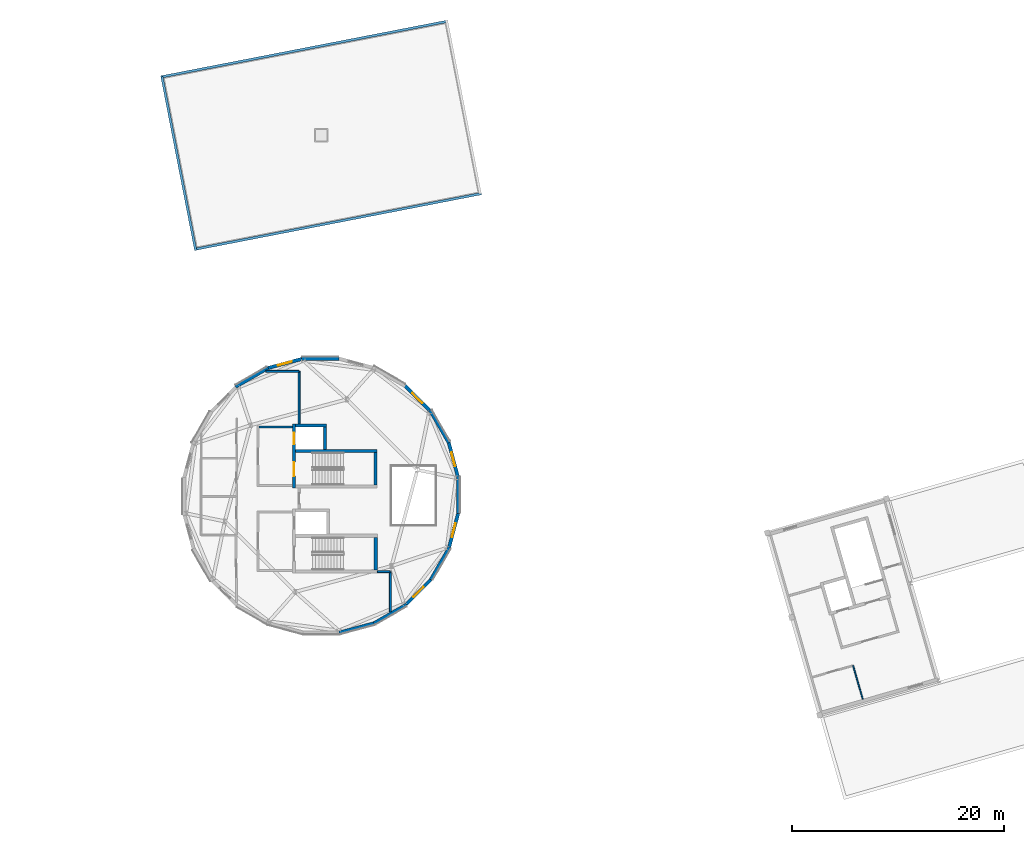
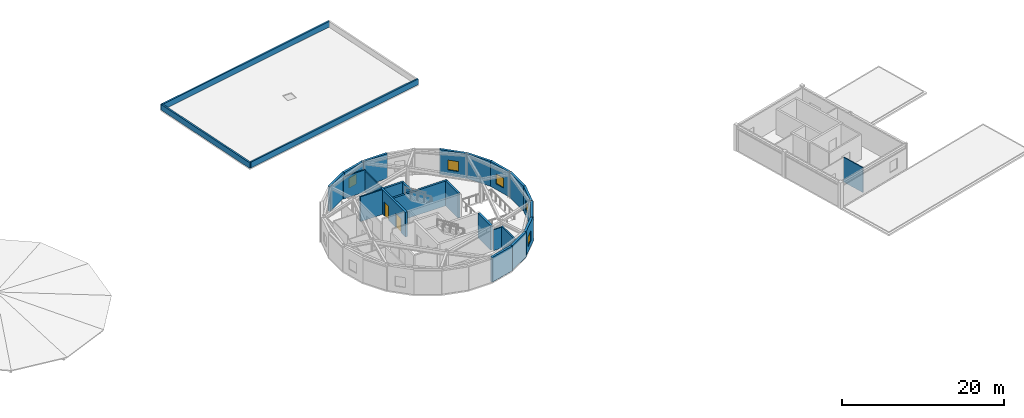
# One storey, part 7 of 11: 27 walls, 5 windows, 2 doors, 7 openings.
"""IFC4 building model written with IfcOpenShell, lengths in metres."""

from ifc_helpers import new_model, si_unit, direction, frame, frame_2d, origin, place, context, subcontext, project, spatial, rectangle, extrude, material, layer, layer_set, type_object, element, fill, save


model = new_model("IFC4")

# Units and contexts
model_context = context("Model", 3, precision=1e-05, world=origin(), true_north=direction((0.0, 1.0)))
body_context = subcontext(model_context, "Body", "Model", "MODEL_VIEW")
ifc_project = project(units=[si_unit("LENGTHUNIT", "METRE"), si_unit("AREAUNIT", "SQUARE_METRE"), si_unit("VOLUMEUNIT", "CUBIC_METRE"), si_unit("PLANEANGLEUNIT", "RADIAN"), si_unit("MASSUNIT", "GRAM", prefix="KILO")], contexts=[model_context])

# Site, building, storey
site_placement = place(None, origin())
site = spatial("IfcSite", under=ifc_project, at=site_placement, CompositionType="ELEMENT")
building_placement = place(site_placement, origin())
building = spatial("IfcBuilding", under=site, at=building_placement, Name="Varnklinge Art Gallery", CompositionType="ELEMENT")
storey_placement = place(building_placement, frame((0.0, 0.0, 17.639892578125)))
storey = spatial("IfcBuildingStorey", under=building, at=storey_placement, Name="L04", CompositionType="ELEMENT", Elevation=17.639892578125)

# Wall
ifc_material_1 = material(Name="Precast concrete C40/50", Category="concrete")
ifc_layer_1 = layer(ifc_material_1, 0.320068359375)
ifc_layer_set_1 = layer_set([ifc_layer_1], Name="Precast concrete C40/50")
wall_type_1 = type_object("IfcWallType", Name="EW-32", PredefinedType="SOLIDWALL", material=ifc_layer_set_1)
wall_1_placement = place(storey_placement, frame((88.427001953125, 40.36181640625, 0.0), z_axis=(0.0, 0.0, 1.0), x_axis=(0.0, -1.0, 0.0)))
element("IfcWall", 1, at=wall_1_placement, inside=storey, type_object=wall_type_1, Name="L04 Exterior Wall EW-V4D-L04-01", PredefinedType="SOLIDWALL", context=body_context, shape_type="SweptSolid", body=[
    extrude(rectangle(XDim=3.563720703125, YDim=0.320068359375, at=frame_2d((1.78173828125, 0.0))), origin(), (0.0, 0.0, 1.0), 3.739990234375),
])

# Wall, opening, window
wall_2_placement = place(storey_placement, frame((88.468505859375, 36.95263671875, 0.0), z_axis=(0.0, 0.0, 1.0), x_axis=(-0.258830827966, -0.965922669003, 0.0)))
wall_2 = element("IfcWall", 2, at=wall_2_placement, inside=storey, type_object=wall_type_1, Name="L04 Exterior Wall EW-V4D-L04-02", PredefinedType="SOLIDWALL", context=body_context, shape_type="SweptSolid", body=[
    extrude(rectangle(XDim=3.5634765625, YDim=0.320068359375, at=frame_2d((1.78173828125, 0.0))), origin(), (0.0, 0.0, 1.0), 3.739990234375),
])
opening_1_placement = place(wall_2_placement, frame((1.10693359375, 0.0, 0.85009765625)))
opening_1 = element("IfcOpeningElement", 3, at=opening_1_placement, cuts=wall_2, Name="Opening WN-02", PredefinedType="OPENING", context=body_context, shape_type="SweptSolid", body=[
    extrude(rectangle(XDim=1.35009765625, YDim=1.5, at=frame_2d((0.675048828125, 0.75))), frame((0.0, 0.170166015625, 0.0), z_axis=(0.0, -1.0, 0.0), x_axis=(1.0, 0.0, 0.0)), (0.0, 0.0, 1.0), 0.340087890625),
])
ifc_material_2 = material(Name="Insulated Low-E Triple Glazing", Category="glass")
window_type = type_object("IfcWindowType", Name="WN-02", PartitioningType="SINGLE_PANEL", PredefinedType="WINDOW", material=ifc_material_2)
window_1_placement = place(opening_1_placement, origin())
window_1 = element("IfcWindow", 4, at=window_1_placement, inside=storey, type_object=window_type, Name="L04 Window WIN-L04-106", OverallHeight=1.5, OverallWidth=1.35009765625, PartitioningType="SINGLE_PANEL", PredefinedType="WINDOW", context=body_context, shape_type="SweptSolid", body=[
    extrude(rectangle(XDim=1.35009765625, YDim=1.5, at=frame_2d((0.675048828125, 0.75))), frame((0.0, 0.030029296875, 0.0), z_axis=(0.0, -1.0, 0.0), x_axis=(1.0, 0.0, 0.0)), (0.0, 0.0, 1.0), 0.06005859375),
])
fill(opening_1, window_1)

# Wall
wall_3_placement = place(storey_placement, frame((87.626220703125, 33.64892578125, 0.0), z_axis=(0.0, 0.0, 1.0), x_axis=(-0.500007084799, -0.866021313335, 0.0)))
element("IfcWall", 5, at=wall_3_placement, inside=storey, type_object=wall_type_1, Name="L04 Exterior Wall EW-V4D-L04-03", PredefinedType="SOLIDWALL", context=body_context, shape_type="SweptSolid", body=[
    extrude(rectangle(XDim=3.56396484375, YDim=0.320068359375, at=frame_2d((1.781982421875, 0.0))), origin(), (0.0, 0.0, 1.0), 3.739990234375),
])

# Wall, opening, window
wall_4_placement = place(storey_placement, frame((85.95751953125, 30.675537109375, 0.0), z_axis=(0.0, 0.0, 1.0), x_axis=(-0.707141034428, -0.707072526286, 0.0)))
wall_4 = element("IfcWall", 6, at=wall_4_placement, inside=storey, type_object=wall_type_1, Name="L04 Exterior Wall EW-V4D-L04-04", PredefinedType="SOLIDWALL", context=body_context, shape_type="SweptSolid", body=[
    extrude(rectangle(XDim=3.563720703125, YDim=0.320068359375, at=frame_2d((1.78173828125, 0.0))), origin(), (0.0, 0.0, 1.0), 3.739990234375),
])
opening_2_placement = place(wall_4_placement, frame((1.106689453125, 0.0, 0.85009765625)))
opening_2 = element("IfcOpeningElement", 7, at=opening_2_placement, cuts=wall_4, Name="Opening WN-02", PredefinedType="OPENING", context=body_context, shape_type="SweptSolid", body=[
    extrude(rectangle(XDim=1.35009765625, YDim=1.5, at=frame_2d((0.675048828125, 0.75))), frame((0.0, 0.170166015625, 0.0), z_axis=(0.0, -1.0, 0.0), x_axis=(1.0, 0.0, 0.0)), (0.0, 0.0, 1.0), 0.340087890625),
])
window_2_placement = place(opening_2_placement, origin())
window_2 = element("IfcWindow", 8, at=window_2_placement, inside=storey, type_object=window_type, Name="L04 Window WIN-L04-107", OverallHeight=1.5, OverallWidth=1.35009765625, PartitioningType="SINGLE_PANEL", PredefinedType="WINDOW", context=body_context, shape_type="SweptSolid", body=[
    extrude(rectangle(XDim=1.35009765625, YDim=1.5, at=frame_2d((0.675048828125, 0.75))), frame((0.0, 0.030029296875, 0.0), z_axis=(0.0, -1.0, 0.0), x_axis=(1.0, 0.0, 0.0)), (0.0, 0.0, 1.0), 0.06005859375),
])
fill(opening_2, window_2)

# Walls
wall_5_placement = place(storey_placement, frame((83.576171875, 28.235595703125, 0.0), z_axis=(0.0, 0.0, 1.0), x_axis=(-0.8660680979, -0.499926044331, 0.0)))
element("IfcWall", 9, at=wall_5_placement, inside=storey, type_object=wall_type_1, Name="L04 Exterior Wall EW-V4D-L04-05", PredefinedType="SOLIDWALL", context=body_context, shape_type="SweptSolid", body=[
    extrude(rectangle(XDim=3.56396484375, YDim=0.320068359375, at=frame_2d((1.781982421875, 0.0))), origin(), (0.0, 0.0, 1.0), 3.739990234375),
])
wall_6_placement = place(storey_placement, frame((80.64404296875, 26.495361328125, 0.0), z_axis=(0.0, 0.0, 1.0), x_axis=(-0.965922669003, -0.258830827966, 0.0)))
element("IfcWall", 10, at=wall_6_placement, inside=storey, type_object=wall_type_1, Name="L04 Exterior Wall EW-V4D-L04-06", PredefinedType="SOLIDWALL", context=body_context, shape_type="SweptSolid", body=[
    extrude(rectangle(XDim=3.5634765625, YDim=0.320068359375, at=frame_2d((1.78173828125, 0.0))), origin(), (0.0, 0.0, 1.0), 3.739990234375),
])
wall_7_placement = place(storey_placement, frame((67.423828125, 48.764404296875, 0.0), z_axis=(0.0, 0.0, 1.0), x_axis=(0.8660680979, 0.499926044331, 0.0)))
element("IfcWall", 11, at=wall_7_placement, inside=storey, type_object=wall_type_1, Name="L04 Exterior Wall EW-V4D-L04-17", PredefinedType="SOLIDWALL", context=body_context, shape_type="SweptSolid", body=[
    extrude(rectangle(XDim=3.56396484375, YDim=0.320068359375, at=frame_2d((1.781982421875, 0.0))), origin(), (0.0, 0.0, 1.0), 3.739990234375),
])

# Wall, opening, window
wall_8_placement = place(storey_placement, frame((70.35595703125, 50.504638671875, 0.0), z_axis=(0.0, 0.0, 1.0), x_axis=(0.965922669003, 0.258830827966, 0.0)))
wall_8 = element("IfcWall", 12, at=wall_8_placement, inside=storey, type_object=wall_type_1, Name="L04 Exterior Wall EW-V4D-L04-18", PredefinedType="SOLIDWALL", context=body_context, shape_type="SweptSolid", body=[
    extrude(rectangle(XDim=3.5634765625, YDim=0.320068359375, at=frame_2d((1.78173828125, 0.0))), origin(), (0.0, 0.0, 1.0), 3.739990234375),
])
opening_3_placement = place(wall_8_placement, frame((1.10693359375, 0.0, 0.85009765625)))
opening_3 = element("IfcOpeningElement", 13, at=opening_3_placement, cuts=wall_8, Name="Opening WN-02", PredefinedType="OPENING", context=body_context, shape_type="SweptSolid", body=[
    extrude(rectangle(XDim=1.35009765625, YDim=1.5, at=frame_2d((0.675048828125, 0.75))), frame((0.0, 0.170166015625, 0.0), z_axis=(0.0, -1.0, 0.0), x_axis=(1.0, 0.0, 0.0)), (0.0, 0.0, 1.0), 0.340087890625),
])
window_3_placement = place(opening_3_placement, origin())
window_3 = element("IfcWindow", 14, at=window_3_placement, inside=storey, type_object=window_type, Name="L04 Window WIN-L04-112", OverallHeight=1.5, OverallWidth=1.35009765625, PartitioningType="SINGLE_PANEL", PredefinedType="WINDOW", context=body_context, shape_type="SweptSolid", body=[
    extrude(rectangle(XDim=1.35009765625, YDim=1.5, at=frame_2d((0.675048828125, 0.75))), frame((0.0, 0.030029296875, 0.0), z_axis=(0.0, -1.0, 0.0), x_axis=(1.0, 0.0, 0.0)), (0.0, 0.0, 1.0), 0.06005859375),
])
fill(opening_3, window_3)

# Wall
wall_9_placement = place(storey_placement, frame((73.63818359375, 51.427001953125, 0.0), z_axis=(0.0, 0.0, 1.0), x_axis=(1.0, 0.0, 0.0)))
element("IfcWall", 15, at=wall_9_placement, inside=storey, type_object=wall_type_1, Name="L04 Exterior Wall EW-V4D-L04-19", PredefinedType="SOLIDWALL", context=body_context, shape_type="SweptSolid", body=[
    extrude(rectangle(XDim=3.563720703125, YDim=0.320068359375, at=frame_2d((1.78173828125, 0.0))), origin(), (0.0, 0.0, 1.0), 3.739990234375),
])

# Wall, opening, window
wall_10_placement = place(storey_placement, frame((83.324462890625, 48.95751953125, 0.0), z_axis=(0.0, 0.0, 1.0), x_axis=(0.707072526286, -0.707141034428, 0.0)))
wall_10 = element("IfcWall", 16, at=wall_10_placement, inside=storey, type_object=wall_type_1, Name="L04 Exterior Wall EW-V4D-L04-22", PredefinedType="SOLIDWALL", context=body_context, shape_type="SweptSolid", body=[
    extrude(rectangle(XDim=3.563720703125, YDim=0.320068359375, at=frame_2d((1.78173828125, 0.0))), origin(), (0.0, 0.0, 1.0), 3.739990234375),
])
opening_4_placement = place(wall_10_placement, frame((1.106689453125, 0.0, 0.85009765625)))
opening_4 = element("IfcOpeningElement", 17, at=opening_4_placement, cuts=wall_10, Name="Opening WN-02", PredefinedType="OPENING", context=body_context, shape_type="SweptSolid", body=[
    extrude(rectangle(XDim=1.35009765625, YDim=1.5, at=frame_2d((0.675048828125, 0.75))), frame((0.0, 0.170166015625, 0.0), z_axis=(0.0, -1.0, 0.0), x_axis=(1.0, 0.0, 0.0)), (0.0, 0.0, 1.0), 0.340087890625),
])
window_4_placement = place(opening_4_placement, origin())
window_4 = element("IfcWindow", 18, at=window_4_placement, inside=storey, type_object=window_type, Name="L04 Window WIN-L04-114", OverallHeight=1.5, OverallWidth=1.35009765625, PartitioningType="SINGLE_PANEL", PredefinedType="WINDOW", context=body_context, shape_type="SweptSolid", body=[
    extrude(rectangle(XDim=1.35009765625, YDim=1.5, at=frame_2d((0.675048828125, 0.75))), frame((0.0, 0.030029296875, 0.0), z_axis=(0.0, -1.0, 0.0), x_axis=(1.0, 0.0, 0.0)), (0.0, 0.0, 1.0), 0.06005859375),
])
fill(opening_4, window_4)

# Wall
wall_11_placement = place(storey_placement, frame((85.764404296875, 46.576171875, 0.0), z_axis=(0.0, 0.0, 1.0), x_axis=(0.499926044331, -0.8660680979, 0.0)))
element("IfcWall", 19, at=wall_11_placement, inside=storey, type_object=wall_type_1, Name="L04 Exterior Wall EW-V4D-L04-23", PredefinedType="SOLIDWALL", context=body_context, shape_type="SweptSolid", body=[
    extrude(rectangle(XDim=3.56396484375, YDim=0.320068359375, at=frame_2d((1.781982421875, 0.0))), origin(), (0.0, 0.0, 1.0), 3.739990234375),
])

# Wall, opening, window
wall_12_placement = place(storey_placement, frame((87.504638671875, 43.64404296875, 0.0), z_axis=(0.0, 0.0, 1.0), x_axis=(0.258830827966, -0.965922669003, 0.0)))
wall_12 = element("IfcWall", 20, at=wall_12_placement, inside=storey, type_object=wall_type_1, Name="L04 Exterior Wall EW-V4D-L04-24", PredefinedType="SOLIDWALL", context=body_context, shape_type="SweptSolid", body=[
    extrude(rectangle(XDim=3.5634765625, YDim=0.320068359375, at=frame_2d((1.78173828125, 0.0))), origin(), (0.0, 0.0, 1.0), 3.739990234375),
])
opening_5_placement = place(wall_12_placement, frame((1.10693359375, 0.0, 0.85009765625)))
opening_5 = element("IfcOpeningElement", 21, at=opening_5_placement, cuts=wall_12, Name="Opening WN-02", PredefinedType="OPENING", context=body_context, shape_type="SweptSolid", body=[
    extrude(rectangle(XDim=1.35009765625, YDim=1.5, at=frame_2d((0.675048828125, 0.75))), frame((0.0, 0.170166015625, 0.0), z_axis=(0.0, -1.0, 0.0), x_axis=(1.0, 0.0, 0.0)), (0.0, 0.0, 1.0), 0.340087890625),
])
window_5_placement = place(opening_5_placement, origin())
window_5 = element("IfcWindow", 22, at=window_5_placement, inside=storey, type_object=window_type, Name="L04 Window WIN-L04-115", OverallHeight=1.5, OverallWidth=1.35009765625, PartitioningType="SINGLE_PANEL", PredefinedType="WINDOW", context=body_context, shape_type="SweptSolid", body=[
    extrude(rectangle(XDim=1.35009765625, YDim=1.5, at=frame_2d((0.675048828125, 0.75))), frame((0.0, 0.030029296875, 0.0), z_axis=(0.0, -1.0, 0.0), x_axis=(1.0, 0.0, 0.0)), (0.0, 0.0, 1.0), 0.06005859375),
])
fill(opening_5, window_5)

# Walls
ifc_material_3 = material(Name="Gypsum Board Partition", Category="gypsum")
ifc_layer_2 = layer(ifc_material_3, 0.1201171875)
ifc_layer_set_2 = layer_set([ifc_layer_2], Name="Gypsum Board Partition")
wall_type_2 = type_object("IfcWallType", Name="IW-12", PredefinedType="PARTITIONING", material=ifc_layer_set_2)
wall_13_placement = place(storey_placement, frame((125.692626953125, 22.4599609375, 0.0), z_axis=(0.0, 0.0, 1.0), x_axis=(0.278823403643, -0.960342391848, 0.0)))
element("IfcWall", 23, at=wall_13_placement, inside=storey, type_object=wall_type_2, Name="L04 Partition Wall IW-L04-0368", PredefinedType="PARTITIONING", context=body_context, shape_type="SweptSolid", body=[
    extrude(rectangle(XDim=3.29931640625, YDim=0.1201171875, at=frame_2d((1.649658203125, 0.0))), origin(), (0.0, 0.0, 1.0), 3.75),
])
ifc_material_4 = material(Name="Gypsum Board Partition", Category="gypsum")
ifc_layer_3 = layer(ifc_material_4, 0.179931640625)
ifc_layer_set_3 = layer_set([ifc_layer_3], Name="Gypsum Board Partition")
wall_type_3 = type_object("IfcWallType", Name="IW-18", PredefinedType="PARTITIONING", material=ifc_layer_set_3)
wall_14_placement = place(storey_placement, frame((80.800048828125, 31.330078125, 0.0), z_axis=(0.0, 0.0, 1.0), x_axis=(1.0, 0.0, 0.0)))
element("IfcWall", 24, at=wall_14_placement, inside=storey, type_object=wall_type_3, Name="L04 Partition Wall IW-L04-0362", PredefinedType="PARTITIONING", context=body_context, shape_type="SweptSolid", body=[
    extrude(rectangle(XDim=1.199951171875, YDim=0.179931640625, at=frame_2d((0.60009765625, 0.0))), origin(), (0.0, 0.0, 1.0), 3.130126953125),
])
wall_15_placement = place(storey_placement, frame((82.02880859375, 31.30859375, 0.0), z_axis=(0.0, 0.0, 1.0), x_axis=(0.000323268878, -0.999999947749, 0.0)))
element("IfcWall", 25, at=wall_15_placement, inside=storey, type_object=wall_type_3, Name="L04 Partition Wall IW-L04-0363", PredefinedType="PARTITIONING", context=body_context, shape_type="SweptSolid", body=[
    extrude(rectangle(XDim=3.776123046875, YDim=0.179931640625, at=frame_2d((1.88818359375, 0.0))), origin(), (0.0, 0.0, 1.0), 3.280029296875),
])
wall_16_placement = place(storey_placement, frame((70.291015625, 50.22998046875, 0.0), z_axis=(0.0, 0.0, 1.0), x_axis=(0.999991151038, -0.004206880816, 0.0)))
element("IfcWall", 26, at=wall_16_placement, inside=storey, type_object=wall_type_3, Name="L04 Partition Wall IW-L04-0364", PredefinedType="PARTITIONING", context=body_context, shape_type="SweptSolid", body=[
    extrude(rectangle(XDim=3.1337890625, YDim=0.179931640625, at=frame_2d((1.56689453125, 0.0))), origin(), (0.0, 0.0, 1.0), 3.330078125),
])
wall_17_placement = place(storey_placement, frame((73.4248046875, 50.216796875, 0.0), z_axis=(0.0, 0.0, 1.0), x_axis=(0.0010330573, -0.999999466396, 0.0)))
element("IfcWall", 27, at=wall_17_placement, inside=storey, type_object=wall_type_3, Name="L04 Partition Wall IW-L04-0365", PredefinedType="PARTITIONING", context=body_context, shape_type="SweptSolid", body=[
    extrude(rectangle(XDim=4.962890625, YDim=0.179931640625, at=frame_2d((2.4814453125, 0.0))), origin(), (0.0, 0.0, 1.0), 3.130126953125),
])
ifc_material_5 = material(Name="Concrete C40/50", Category="concrete")
ifc_layer_4 = layer(ifc_material_5, 0.199951171875)
ifc_layer_set_4 = layer_set([ifc_layer_4], Name="Concrete C40/50")
wall_type_4 = type_object("IfcWallType", Name="IW-20", PredefinedType="PARTITIONING", material=ifc_layer_set_4)
wall_18_placement = place(storey_placement, frame((72.800048828125, 44.9599609375, 0.0), z_axis=(0.0, 0.0, 1.0), x_axis=(-1.0, 0.0, 0.0)))
element("IfcWall", 28, at=wall_18_placement, inside=storey, type_object=wall_type_4, Name="L04 Core C2 Lobby North Wall", PredefinedType="PARTITIONING", context=body_context, shape_type="SweptSolid", body=[
    extrude(rectangle(XDim=3.150146484375, YDim=0.199951171875, at=frame_2d((1.5751953125, 0.0))), origin(), (0.0, 0.0, 1.0), 3.739990234375),
])
ifc_material_6 = material(Name="Concrete C40/50", Category="concrete")
ifc_layer_5 = layer(ifc_material_6, 0.22998046875)
ifc_layer_set_5 = layer_set([ifc_layer_5], Name="Concrete C40/50")
wall_type_5 = type_object("IfcWallType", Name="PW-23", PredefinedType="PARAPET", material=ifc_layer_set_5)
wall_19_placement = place(storey_placement, frame((63.669189453125, 61.64306640625, 0.0), z_axis=(0.0, 0.0, 1.0), x_axis=(-0.190806211841, 0.981627724508, 0.0)))
element("IfcWall", 29, at=wall_19_placement, inside=storey, type_object=wall_type_5, Name="L04 Exterior Wall PAR-SLB-V4B-L04-01", PredefinedType="PARAPET", context=body_context, shape_type="SweptSolid", body=[
    extrude(rectangle(XDim=16.68505859375, YDim=0.22998046875, at=frame_2d((8.342529296875, 0.0))), origin(), (0.0, 0.0, 1.0), 0.85009765625),
])
for number, where, z_axis, x_axis, name in (
    (30, (60.37255859375, 77.999755859375, 0.0), (0.0, 0.0, 1.0), (0.981629117242, 0.190799046596, 0.0), "L04 Exterior Wall PAR-SLB-V4B-L04-02"),
    (31, (90.62744140625, 67.000244140625, 0.0), (0.0, 0.0, 1.0), (-0.981629117242, -0.190799046596, 0.0), "L04 Exterior Wall PAR-SLB-V4B-L04-04"),
):
    element("IfcWall", number, at=place(storey_placement, frame(where, z_axis=z_axis, x_axis=x_axis)), inside=storey, type_object=wall_type_5, Name=name, PredefinedType="PARAPET", context=body_context, shape_type="SweptSolid", body=[
        extrude(rectangle(XDim=27.485107421875, YDim=0.22998046875, at=frame_2d((13.74267578125, 0.0))), origin(), (0.0, 0.0, 1.0), 0.85009765625),
    ])
ifc_material_7 = material(Name="Concrete C40/50", Category="concrete")
ifc_layer_6 = layer(ifc_material_7, 0.280029296875)
ifc_layer_set_6 = layer_set([ifc_layer_6], Name="Concrete C40/50")
wall_type_6 = type_object("IfcWallType", Name="SW-28", PredefinedType="SHEAR", material=ifc_layer_set_6)
wall_20_placement = place(storey_placement, frame((80.64990234375, 39.489990234375, 0.0), z_axis=(0.0, 0.0, 1.0), x_axis=(0.0, 1.0, 0.0)))
element("IfcWall", 32, at=wall_20_placement, inside=storey, type_object=wall_type_6, Name="L04 Core C2 East Shear Wall", PredefinedType="SHEAR", context=body_context, shape_type="SweptSolid", body=[
    extrude(rectangle(XDim=3.080078125, YDim=0.280029296875, at=frame_2d((1.5400390625, 0.0))), origin(), (0.0, 0.0, 1.0), 3.739990234375),
])
wall_21_placement = place(storey_placement, frame((80.7900390625, 42.7099609375, 0.0), z_axis=(0.0, 0.0, 1.0), x_axis=(-1.0, 0.0, 0.0)))
element("IfcWall", 33, at=wall_21_placement, inside=storey, type_object=wall_type_6, Name="L04 Core C2 Dividing Shear Wall", PredefinedType="SHEAR", context=body_context, shape_type="SweptSolid", body=[
    extrude(rectangle(XDim=7.699951171875, YDim=0.280029296875, at=frame_2d((3.85009765625, 0.0))), origin(), (0.0, 0.0, 1.0), 3.739990234375),
])
wall_22_placement = place(storey_placement, frame((75.85009765625, 42.85009765625, 0.0), z_axis=(0.0, 0.0, 1.0), x_axis=(0.0, 1.0, 0.0)))
element("IfcWall", 34, at=wall_22_placement, inside=storey, type_object=wall_type_6, Name="L04 Core C2 Lift East Shear Wall", PredefinedType="SHEAR", context=body_context, shape_type="SweptSolid", body=[
    extrude(rectangle(XDim=2.119873046875, YDim=0.280029296875, at=frame_2d((1.06005859375, 0.0))), origin(), (0.0, 0.0, 1.0), 3.739990234375),
])
wall_23_placement = place(storey_placement, frame((75.989990234375, 45.110107421875, 0.0), z_axis=(0.0, 0.0, 1.0), x_axis=(-1.0, 0.0, 0.0)))
element("IfcWall", 35, at=wall_23_placement, inside=storey, type_object=wall_type_6, Name="L04 Core C2 Lift North Shear Wall", PredefinedType="SHEAR", context=body_context, shape_type="SweptSolid", body=[
    extrude(rectangle(XDim=2.89990234375, YDim=0.280029296875, at=frame_2d((1.449951171875, 0.0))), origin(), (0.0, 0.0, 1.0), 3.739990234375),
])

# Wall, openings, doors
wall_24_placement = place(storey_placement, frame((72.949951171875, 45.25, 0.0), z_axis=(0.0, 0.0, 1.0), x_axis=(0.0, -1.0, 0.0)))
wall_24 = element("IfcWall", 36, at=wall_24_placement, inside=storey, type_object=wall_type_6, Name="L04 Core C2 Front Shear Wall", PredefinedType="SHEAR", context=body_context, shape_type="SweptSolid", body=[
    extrude(rectangle(XDim=6.0400390625, YDim=0.280029296875, at=frame_2d((3.02001953125, 0.0))), origin(), (0.0, 0.0, 1.0), 3.739990234375),
])
opening_6_placement = place(wall_24_placement, frame((0.800048828125, 0.0, 0.0)))
opening_6 = element("IfcOpeningElement", 37, at=opening_6_placement, cuts=wall_24, Name="Opening LD-L04-040", PredefinedType="OPENING", context=body_context, shape_type="SweptSolid", body=[
    extrude(rectangle(XDim=1.10009765625, YDim=2.1201171875, at=frame_2d((0.550048828125, 1.06005859375))), frame((0.0, 0.150146484375, 0.0), z_axis=(0.0, -1.0, 0.0), x_axis=(1.0, 0.0, 0.0)), (0.0, 0.0, 1.0), 0.300048828125),
])
opening_7_placement = place(wall_24_placement, frame((3.60009765625, 0.0, 0.0)))
opening_7 = element("IfcOpeningElement", 38, at=opening_7_placement, cuts=wall_24, Name="Opening D-L04-041", PredefinedType="OPENING", context=body_context, shape_type="SweptSolid", body=[
    extrude(rectangle(XDim=1.320068359375, YDim=2.1201171875, at=frame_2d((0.66015625, 1.06005859375))), frame((0.0, 0.150146484375, 0.0), z_axis=(0.0, -1.0, 0.0), x_axis=(1.0, 0.0, 0.0)), (0.0, 0.0, 1.0), 0.300048828125),
])
ifc_material_8 = material(Name="Galvanised Fire-Rated Steel", Category="steel")
door_type_1 = type_object("IfcDoorType", Name="ID-ST1", OperationType="SINGLE_SWING_LEFT", PredefinedType="DOOR", material=ifc_material_8)
door_1_placement = place(opening_7_placement, origin())
door_1 = element("IfcDoor", 39, at=door_1_placement, inside=storey, type_object=door_type_1, Name="L04 Stair ST-02 Fire Door D-L04-041", OperationType="SINGLE_SWING_RIGHT", OverallHeight=2.1201171875, OverallWidth=1.320068359375, PredefinedType="DOOR", context=body_context, shape_type="SweptSolid", body=[
    extrude(rectangle(XDim=1.320068359375, YDim=2.1201171875, at=frame_2d((0.66015625, 1.06005859375))), frame((0.0, 0.02490234375, 0.0), z_axis=(0.0, -1.0, 0.0), x_axis=(1.0, 0.0, 0.0)), (0.0, 0.0, 1.0), 0.050048828125),
])
fill(opening_7, door_1)
ifc_material_9 = material(Name="Anodised Aluminium", Category="aluminium")
door_type_2 = type_object("IfcDoorType", Name="LD-PAX", OperationType="SLIDING_TO_LEFT", PredefinedType="DOOR", material=ifc_material_9)
door_2_placement = place(opening_6_placement, origin())
door_2 = element("IfcDoor", 40, at=door_2_placement, inside=storey, type_object=door_type_2, Name="L04 LF-02 Sliding Landing Door LD-L04-040", OperationType="SLIDING_TO_LEFT", OverallHeight=2.1201171875, OverallWidth=1.10009765625, PredefinedType="DOOR", context=body_context, shape_type="SweptSolid", body=[
    extrude(rectangle(XDim=1.10009765625, YDim=2.1201171875, at=frame_2d((0.550048828125, 1.06005859375))), frame((0.0, 0.02490234375, 0.0), z_axis=(0.0, -1.0, 0.0), x_axis=(1.0, 0.0, 0.0)), (0.0, 0.0, 1.0), 0.050048828125),
])
fill(opening_6, door_2)

# Wall
ifc_material_10 = material(Name="Concrete C40/50", Category="concrete")
ifc_layer_7 = layer(ifc_material_10, 0.300048828125)
ifc_layer_set_7 = layer_set([ifc_layer_7], Name="Concrete C40/50")
wall_type_7 = type_object("IfcWallType", Name="SW-30", PredefinedType="SHEAR", material=ifc_layer_set_7)
wall_25_placement = place(storey_placement, frame((80.64990234375, 31.5, 0.0), z_axis=(0.0, 0.0, 1.0), x_axis=(0.0, 1.0, 0.0)))
element("IfcWall", 41, at=wall_25_placement, inside=storey, type_object=wall_type_7, Name="L04 Core C1 East Shear Wall", PredefinedType="SHEAR", context=body_context, shape_type="SweptSolid", body=[
    extrude(rectangle(XDim=3.06005859375, YDim=0.300048828125, at=frame_2d((1.530029296875, 0.0))), origin(), (0.0, 0.0, 1.0), 3.739990234375),
])

save(model, "model.ifc")
